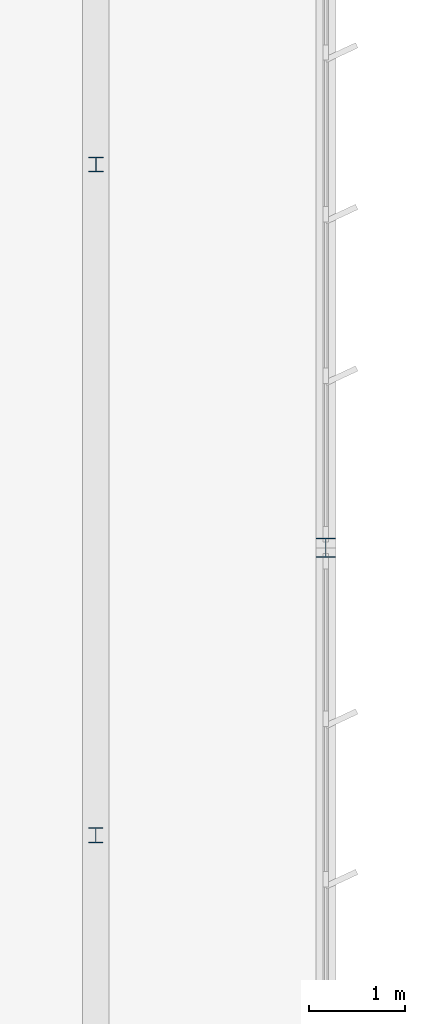
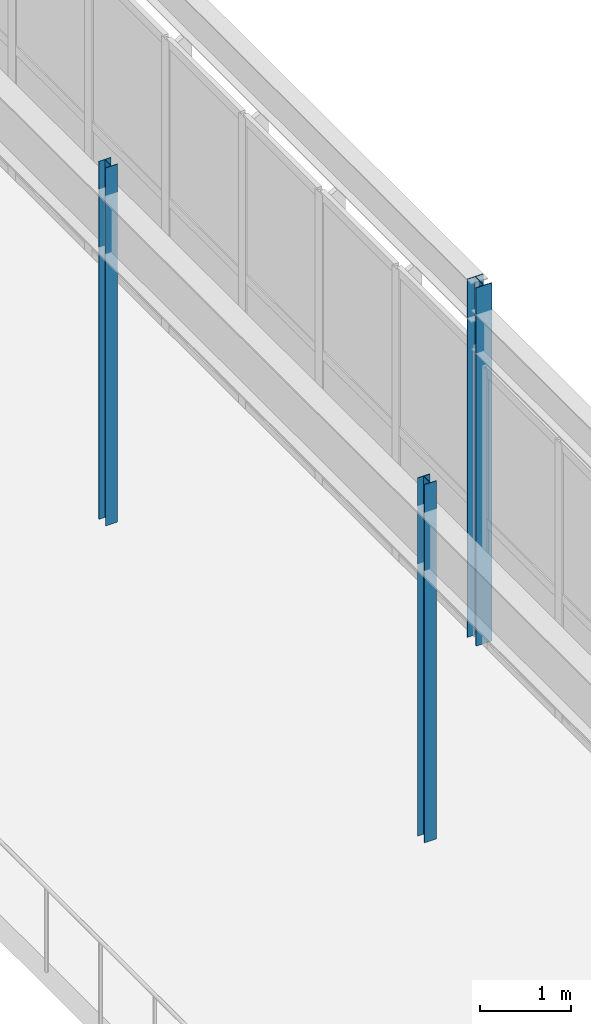
# One storey, part 40 of 186: 3 columns.
"""IFC4 building model written with IfcOpenShell, lengths in metres."""

from ifc_helpers import new_model, si_unit, direction, frame, origin, origin_2d, place, context, subcontext, project, spatial, i_section, extrude, material, material_profile, profile_set, type_object, element, save


model = new_model("IFC4")

# Units and contexts
model_context = context("Model", 3, precision=1e-05, world=origin(), true_north=direction((0.0, 1.0)))
body_context = subcontext(model_context, "Body", "Model", "MODEL_VIEW")
ifc_project = project(units=[si_unit("LENGTHUNIT", "METRE"), si_unit("AREAUNIT", "SQUARE_METRE"), si_unit("VOLUMEUNIT", "CUBIC_METRE"), si_unit("PLANEANGLEUNIT", "RADIAN"), si_unit("MASSUNIT", "GRAM", prefix="KILO")], contexts=[model_context])

# Site, building, storey
site_placement = place(None, origin())
site = spatial("IfcSite", under=ifc_project, at=site_placement, CompositionType="ELEMENT")
building_placement = place(site_placement, origin())
building = spatial("IfcBuilding", under=site, at=building_placement, Name="Tarnwether General Hospital", CompositionType="ELEMENT")
storey_placement = place(building_placement, frame((0.0, 0.0, 9.60009765625)))
storey = spatial("IfcBuildingStorey", under=building, at=storey_placement, Name="L02", CompositionType="ELEMENT", Elevation=9.60009765625)

# Columns
ifc_material_1 = material(Name="Steel Grade 350 (350 MPa)", Category="steel")
ifc_material_profile_1 = material_profile(ifc_material_1, i_section(OverallWidth=0.202880859375, OverallDepth=0.202880859375, WebThickness=0.00732421875, FlangeThickness=0.010986328125, at=origin_2d()), Name="200UC46.2")
ifc_profile_set_1 = profile_set([ifc_material_profile_1], Name="Steel Grade 350 (350 MPa)")
column_type_1 = type_object("IfcColumnType", Name="COL-27", PredefinedType="COLUMN", material=ifc_profile_set_1)
column_1_placement = place(storey_placement, frame((144.0, 57.60009765625, 0.0), z_axis=(0.0, 0.0, 1.0), x_axis=(1.0, 0.0, 0.0)))
element("IfcColumn", 1, at=column_1_placement, inside=storey, type_object=column_type_1, Name="Column COLG-L02-14400_5760", PredefinedType="COLUMN", context=body_context, shape_type="SweptSolid", body=[
    extrude(i_section(OverallWidth=0.202880859375, OverallDepth=0.202880859375, WebThickness=0.00732421875, FlangeThickness=0.010986328125, at=origin_2d()), origin(), (0.0, 0.0, 1.0), 4.7998046875),
])
ifc_material_2 = material(Name="Steel Grade 350 (350 MPa)", Category="steel")
ifc_material_profile_2 = material_profile(ifc_material_2, i_section(OverallWidth=0.153076171875, OverallDepth=0.157958984375, WebThickness=0.006591796875, FlangeThickness=0.009521484375, at=origin_2d()), Name="150UC30.0")
ifc_profile_set_2 = profile_set([ifc_material_profile_2], Name="Steel Grade 350 (350 MPa)")
column_type_2 = type_object("IfcColumnType", Name="COL-31", PredefinedType="COLUMN", material=ifc_profile_set_2)
column_2_placement = place(storey_placement, frame((141.60009765625, 54.60009765625, 0.0), z_axis=(0.0, 0.0, 1.0), x_axis=(1.0, 0.0, 0.0)))
element("IfcColumn", 2, at=column_2_placement, inside=storey, type_object=column_type_2, Name="Column COLG-L02-14160_5460", PredefinedType="COLUMN", context=body_context, shape_type="SweptSolid", body=[
    extrude(i_section(OverallWidth=0.153076171875, OverallDepth=0.157958984375, WebThickness=0.006591796875, FlangeThickness=0.009521484375, at=origin_2d()), origin(), (0.0, 0.0, 1.0), 4.7998046875),
])
ifc_material_3 = material(Name="Steel Grade 350 (350 MPa)", Category="steel")
ifc_material_profile_3 = material_profile(ifc_material_3, i_section(OverallWidth=0.152099609375, OverallDepth=0.152099609375, WebThickness=0.006103515625, FlangeThickness=0.0068359375, at=origin_2d()), Name="150UC23.4")
ifc_profile_set_3 = profile_set([ifc_material_profile_3], Name="Steel Grade 350 (350 MPa)")
column_type_3 = type_object("IfcColumnType", Name="COL-32", PredefinedType="COLUMN", material=ifc_profile_set_3)
column_3_placement = place(storey_placement, frame((141.60009765625, 61.60009765625, 0.0), z_axis=(0.0, 0.0, 1.0), x_axis=(1.0, 0.0, 0.0)))
element("IfcColumn", 3, at=column_3_placement, inside=storey, type_object=column_type_3, Name="Column COLG-L02-14160_6160", PredefinedType="COLUMN", context=body_context, shape_type="SweptSolid", body=[
    extrude(i_section(OverallWidth=0.152099609375, OverallDepth=0.152099609375, WebThickness=0.006103515625, FlangeThickness=0.0068359375, at=origin_2d()), origin(), (0.0, 0.0, 1.0), 4.7998046875),
])

save(model, "model.ifc")
